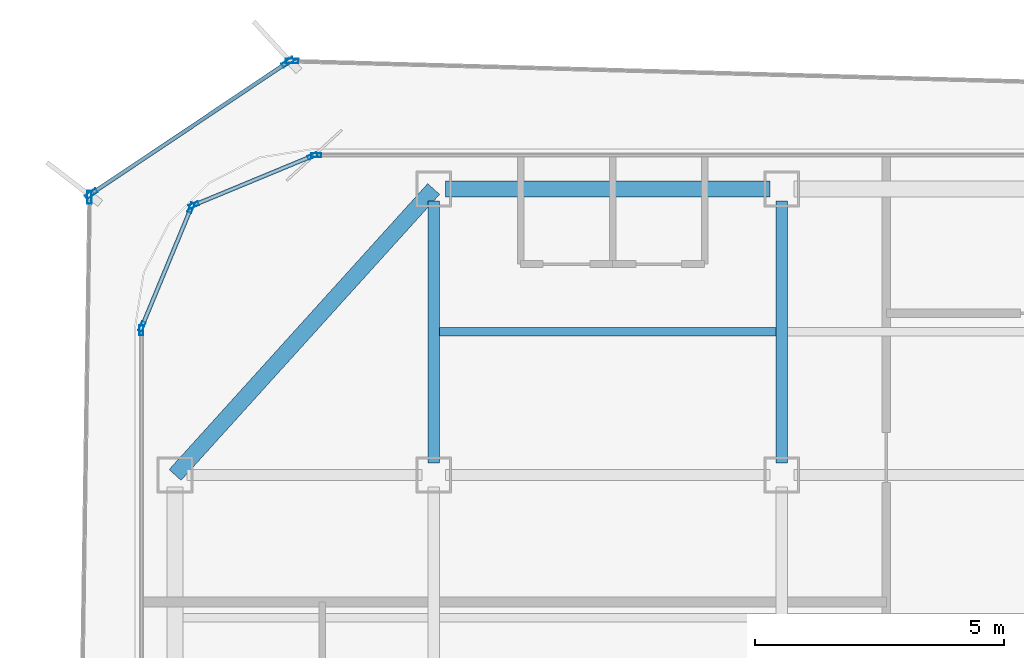
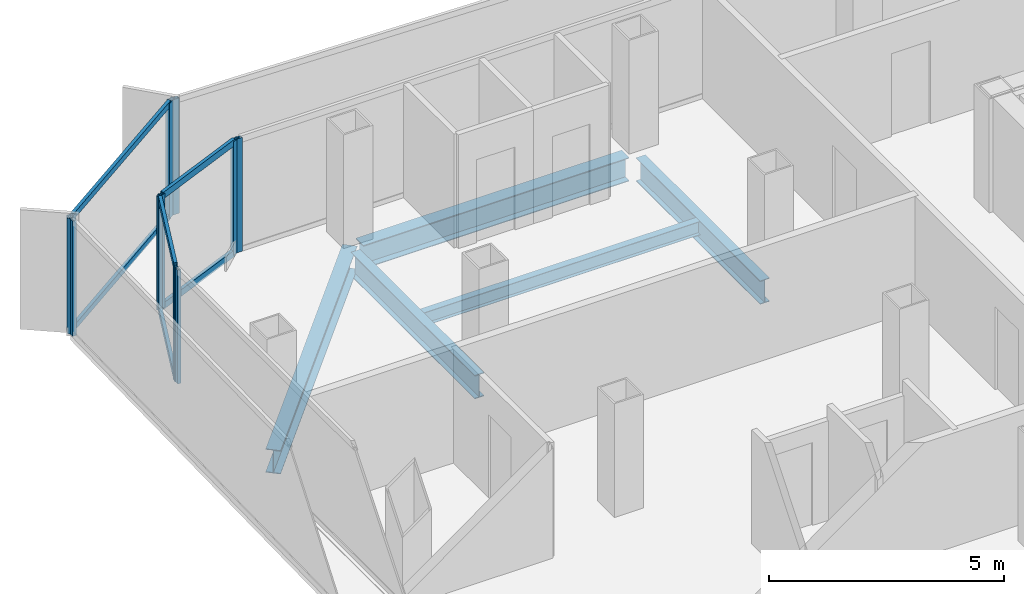
# One storey, part 6 of 15: 16 members, 5 beams, 7 elements without a shape of their own.
"""IFC4 building model written with IfcOpenShell, lengths in metres."""

import ifcopenshell
import ifcopenshell.guid

model = None  # the IFC model being written
_history = None  # IfcOwnerHistory: only IFC2X3 demands one
_inside = {}  # id of a spatial element -> (the spatial element, [elements in it])
_under = {}  # id of a project, library or spatial element -> (it, [spatial elements below it])
_declared = {}  # id of a project -> (the project, [libraries it declares])
_typed = {}  # id of a type object -> (the type object, [elements of that type])
_made_of = {}  # id of a material, layer set ... -> (it, [elements and type objects made of it])


def new_model(schema):
    """Start an empty IFC model of exactly this schema.

    Asked for "IFC4X3", IfcOpenShell would pick the latest addendum, in which some entities
    have other attributes; the version numbers below select the first issue.
    IFC2X3 requires an IfcOwnerHistory on every rooted entity: one is made here for all.
    """
    global model, _history
    if schema == "IFC4X3":
        model = ifcopenshell.file(schema_version=(4, 3, 0, 0))
    else:
        model = ifcopenshell.file(schema=schema)
    _inside.clear()
    _under.clear()
    _declared.clear()
    _typed.clear()
    _made_of.clear()
    _history = None
    if model.schema == "IFC2X3":
        org = make("IfcOrganization", Name="unknown")
        user = make(
            "IfcPersonAndOrganization",
            ThePerson=make("IfcPerson", FamilyName="unknown"),
            TheOrganization=org,
        )
        app = make(
            "IfcApplication",
            ApplicationDeveloper=org,
            Version="unknown",
            ApplicationFullName="unknown",
            ApplicationIdentifier="unknown",
        )
        _history = make(
            "IfcOwnerHistory",
            OwningUser=user,
            OwningApplication=app,
            ChangeAction="ADDED",
            CreationDate=0,
        )
    return model


def make(cls, **values):
    """One entity of the class cls with the attributes given. An attribute that is None is left unset."""
    return model.create_entity(
        cls, **{name: value for name, value in values.items() if value is not None}
    )


def rooted(cls, **values):
    """An entity with a GlobalId (a new one), such as an element, a storey or a relation."""
    return make(cls, GlobalId=ifcopenshell.guid.new(), OwnerHistory=_history, **values)


def si_unit(unit_type, name, prefix=None):
    """IfcSIUnit, for example si_unit("LENGTHUNIT", "METRE", prefix="MILLI")."""
    return make("IfcSIUnit", UnitType=unit_type, Prefix=prefix, Name=name)


def assignment(units):
    """IfcUnitAssignment: the units of a project."""
    return None if units is None else make("IfcUnitAssignment", Units=units)


def point(xyz):
    """IfcCartesianPoint."""
    return None if xyz is None else make("IfcCartesianPoint", Coordinates=xyz)


def direction(xyz):
    """IfcDirection."""
    return None if xyz is None else make("IfcDirection", DirectionRatios=xyz)


def frame(location, z_axis=None, x_axis=None):
    """IfcAxis2Placement3D, a coordinate frame: its origin and axes. An axis left out is left unset."""
    return make(
        "IfcAxis2Placement3D",
        Location=point(location),
        Axis=direction(z_axis),
        RefDirection=direction(x_axis),
    )


def frame_2d(location, x_axis=None):
    """IfcAxis2Placement2D, a coordinate frame in the plane: its origin and x axis."""
    return make(
        "IfcAxis2Placement2D", Location=point(location), RefDirection=direction(x_axis)
    )


def origin():
    """The frame at (0, 0, 0) with its axes left unset."""
    return frame((0.0, 0.0, 0.0))


def origin_2d():
    """The frame at (0, 0) in the plane with its x axis left unset."""
    return frame_2d((0.0, 0.0))


def place(relative_to, where):
    """IfcLocalPlacement: puts the frame where relative to a parent placement (None: the world)."""
    return make(
        "IfcLocalPlacement", PlacementRelTo=relative_to, RelativePlacement=where
    )


def context(
    kind, dimensions, precision=None, world=None, true_north=None, identifier=None
):
    """IfcGeometricRepresentationContext, for example the 3D "Model" context."""
    return make(
        "IfcGeometricRepresentationContext",
        ContextIdentifier=identifier,
        ContextType=kind,
        CoordinateSpaceDimension=dimensions,
        Precision=precision,
        WorldCoordinateSystem=world,
        TrueNorth=true_north,
    )


def subcontext(parent, identifier, kind, view, scale=None):
    """IfcGeometricRepresentationSubContext, for example "Body" below "Model"."""
    return make(
        "IfcGeometricRepresentationSubContext",
        ContextIdentifier=identifier,
        ContextType=kind,
        ParentContext=parent,
        TargetScale=scale,
        TargetView=view,
    )


def project(units=None, contexts=None):
    """IfcProject with its units and contexts."""
    return rooted(
        "IfcProject",
        Name="project",
        RepresentationContexts=contexts,
        UnitsInContext=assignment(units),
    )


def spatial(cls, under=None, at=None, **own):
    """A site, building, storey or space (cls), placed at a placement, below another one or the project."""
    s = rooted(cls, ObjectPlacement=at, **own)
    if under is not None:
        _under.setdefault(under.id(), (under, []))[1].append(s)
    return s


def profile(cls, at=None, kind="AREA", **sizes):
    """A parametric profile (cls). Its sizes go by their IFC names, for example OverallWidth=200.0."""
    return make(cls, ProfileType=kind, Position=at, **sizes)


def hollow_rectangle(**sizes):
    """IfcRectangleHollowProfileDef."""
    return profile("IfcRectangleHollowProfileDef", **sizes)


def i_section(**sizes):
    """IfcIShapeProfileDef."""
    return profile("IfcIShapeProfileDef", **sizes)


def extrude(swept, where, along, depth):
    """IfcExtrudedAreaSolid: the profile swept, set in the frame where, extruded along a direction by depth."""
    return make(
        "IfcExtrudedAreaSolid",
        SweptArea=swept,
        Position=where,
        ExtrudedDirection=direction(along),
        Depth=depth,
    )


def shape(context_of_items, identifier, shape_type, items):
    """IfcShapeRepresentation: the items that make up one representation, for example the "Body"."""
    return make(
        "IfcShapeRepresentation",
        ContextOfItems=context_of_items,
        RepresentationIdentifier=identifier,
        RepresentationType=shape_type,
        Items=items,
    )


def source(mapping_origin, context_of_items, identifier, shape_type, items):
    """IfcRepresentationMap: a shape defined once, which mapped items show again and again."""
    return make(
        "IfcRepresentationMap",
        MappingOrigin=mapping_origin,
        MappedRepresentation=shape(context_of_items, identifier, shape_type, items),
    )


def transform(
    local_origin,
    x_axis=None,
    y_axis=None,
    z_axis=None,
    scale=None,
    scale2=None,
    scale3=None,
    uniform=True,
):
    """IfcCartesianTransformationOperator3D, or its non-uniform kind. x_axis, y_axis, z_axis: its Axis1, 2, 3."""
    if uniform:
        return make(
            "IfcCartesianTransformationOperator3D",
            Axis1=direction(x_axis),
            Axis2=direction(y_axis),
            LocalOrigin=point(local_origin),
            Scale=scale,
            Axis3=direction(z_axis),
        )
    return make(
        "IfcCartesianTransformationOperator3DnonUniform",
        Axis1=direction(x_axis),
        Axis2=direction(y_axis),
        LocalOrigin=point(local_origin),
        Scale=scale,
        Axis3=direction(z_axis),
        Scale2=scale2,
        Scale3=scale3,
    )


def mapped(mapping_source, mapping_target):
    """IfcMappedItem: shows the shape of a source again, moved by a transform."""
    return make(
        "IfcMappedItem", MappingSource=mapping_source, MappingTarget=mapping_target
    )


def material(Name=None, Category=None):
    """IfcMaterial."""
    return make("IfcMaterial", Name=Name, Category=Category)


def layer(
    of_material, thickness, ventilated=None, Name=None, Category=None, Priority=None
):
    """IfcMaterialLayer: one layer of a wall or slab, of a material (None: an air gap)."""
    return make(
        "IfcMaterialLayer",
        Material=of_material,
        LayerThickness=thickness,
        IsVentilated=ventilated,
        Name=Name,
        Category=Category,
        Priority=Priority,
    )


def layer_set(layers, Name=None):
    """IfcMaterialLayerSet."""
    return make("IfcMaterialLayerSet", MaterialLayers=layers, LayerSetName=Name)


def material_profile(
    of_material, cross_section, Name=None, Category=None, Priority=None
):
    """IfcMaterialProfile: a cross section and its material."""
    return make(
        "IfcMaterialProfile",
        Name=Name,
        Material=of_material,
        Profile=cross_section,
        Priority=Priority,
        Category=Category,
    )


def profile_set(profiles, Name=None, composite=None):
    """IfcMaterialProfileSet."""
    return make(
        "IfcMaterialProfileSet",
        Name=Name,
        MaterialProfiles=profiles,
        CompositeProfile=composite,
    )


def made_of(thing, what):
    """Note that an element or type object is made of a material, layer set ...; save() writes the relation."""
    if what is not None:
        _made_of.setdefault(what.id(), (what, []))[1].append(thing)
    return thing


def type_object(cls, material=None, **own):
    """A type object (cls), such as IfcWallType, which elements share."""
    return made_of(rooted(cls, **own), material)


def element(
    cls,
    number,
    at=None,
    inside=None,
    cuts=None,
    type_object=None,
    material=None,
    context=None,
    identifier="Body",
    shape_type=None,
    held_by="IfcProductDefinitionShape",
    body=None,
    shapes=None,
    **own,
):
    """One element of the class cls, such as IfcWall. Its Tag is "e" and its number.

    at: its placement. inside: the storey or other place that contains it. cuts: it is an
    opening in that element (IfcRelVoidsElement). A single representation is given by context,
    identifier, shape_type and body (its items); several are given by shapes. held_by: the class
    of the entity that holds the representations. save() writes the other relations.
    """
    e = rooted(cls, Tag="e%d" % number, ObjectPlacement=at, **own)
    if body is not None:
        shapes = [shape(context, identifier, shape_type, body)]
    if shapes is not None:
        e.Representation = make(held_by, Representations=shapes)
    if inside is not None:
        _inside.setdefault(inside.id(), (inside, []))[1].append(e)
    if cuts is not None:
        rooted(
            "IfcRelVoidsElement", RelatingBuildingElement=cuts, RelatedOpeningElement=e
        )
    if type_object is not None:
        _typed.setdefault(type_object.id(), (type_object, []))[1].append(e)
    return made_of(e, material)


def aggregate(whole, parts):
    """IfcRelAggregates: a whole, such as a stair, and the parts it consists of."""
    return rooted("IfcRelAggregates", RelatingObject=whole, RelatedObjects=parts)


def save(model, path):
    """Write the relations noted so far, then the file.

    IfcRelAggregates (storeys below a building ...), IfcRelContainedInSpatialStructure (elements
    in a storey), IfcRelDefinesByType, IfcRelAssociatesMaterial and IfcRelDeclares: one each for
    every whole, place, type object, material and project.
    """
    for whole, parts in _under.values():
        aggregate(whole, parts)
    for where, things in _inside.values():
        rooted(
            "IfcRelContainedInSpatialStructure",
            RelatedElements=things,
            RelatingStructure=where,
        )
    for kind, things in _typed.values():
        rooted("IfcRelDefinesByType", RelatedObjects=things, RelatingType=kind)
    for what, things in _made_of.values():
        rooted("IfcRelAssociatesMaterial", RelatedObjects=things, RelatingMaterial=what)
    for by, libraries in _declared.values():
        rooted("IfcRelDeclares", RelatingContext=by, RelatedDefinitions=libraries)
    model.write(path)


model = new_model("IFC4")

# Units and contexts
model_context = context("Model", 3, precision=1e-05, world=origin(), true_north=direction((0.0, 1.0)))
body_context = subcontext(model_context, "Body", "Model", "MODEL_VIEW")
ifc_project = project(units=[si_unit("LENGTHUNIT", "METRE"), si_unit("AREAUNIT", "SQUARE_METRE"), si_unit("VOLUMEUNIT", "CUBIC_METRE"), si_unit("PLANEANGLEUNIT", "RADIAN"), si_unit("MASSUNIT", "GRAM", prefix="KILO")], contexts=[model_context])

# Site, building, storey
site_placement = place(None, origin())
site = spatial("IfcSite", under=ifc_project, at=site_placement, CompositionType="ELEMENT")
building_placement = place(site_placement, origin())
building = spatial("IfcBuilding", under=site, at=building_placement, Name="Kolveth Station Tower", CompositionType="ELEMENT")
storey_placement = place(building_placement, frame((0.0, 0.0, 193.199951171875)))
storey = spatial("IfcBuildingStorey", under=building, at=storey_placement, Name="L54", CompositionType="ELEMENT", Elevation=193.199951171875)

# Beams
ifc_material_1 = material(Name="Steel S355", Category="steel")
ifc_material_profile_1 = material_profile(ifc_material_1, i_section(OverallWidth=0.323974609375, OverallDepth=0.611083984375, WebThickness=0.0126953125, FlangeThickness=0.01904296875, at=origin_2d()), Name="W610x155")
ifc_profile_set_1 = profile_set([ifc_material_profile_1], Name="Steel S355")
beam_type_1 = type_object("IfcBeamType", Name="Beam_SP2", PredefinedType="SPANDREL", material=ifc_profile_set_1)
shared_shape_1 = source(origin(), body_context, "Body", "SweptSolid", [
    extrude(i_section(OverallWidth=0.323974609375, OverallDepth=0.611083984375, WebThickness=0.0126953125, FlangeThickness=0.01904296875, at=origin_2d()), origin(), (0.0, 0.0, 1.0), 7.75244140625),
])
beam_1_placement = place(storey_placement, frame((6.0, 34.5, -0.555419921875), z_axis=(-0.670740965555, -0.74169168603, 0.0), x_axis=(0.74169168603, -0.670740965555, 0.0)))
element("IfcBeam", 1, at=beam_1_placement, inside=storey, type_object=beam_type_1, Name="L54 Corner Edge Girder BM-L54-CNR-NW", PredefinedType="SPANDREL", context=body_context, shape_type="MappedRepresentation", body=[
    mapped(shared_shape_1, transform((0.0, 0.0, 0.0), x_axis=(1.0, 0.0, 0.0), y_axis=(0.0, 1.0, 0.0), z_axis=(0.0, 0.0, 1.0), scale=1.0)),
])
shared_shape_2 = source(origin(), body_context, "Body", "SweptSolid", [
    extrude(i_section(OverallWidth=0.323974609375, OverallDepth=0.611083984375, WebThickness=0.0126953125, FlangeThickness=0.01904296875, at=origin_2d()), origin(), (0.0, 0.0, 1.0), 6.52001953125),
])
beam_2_placement = place(storey_placement, frame((6.239990234375, 34.5, -0.555419921875), z_axis=(1.0, 0.0, 0.0), x_axis=(0.0, 1.0, 0.0)))
element("IfcBeam", 2, at=beam_2_placement, inside=storey, type_object=beam_type_1, Name="L54 Perimeter Spandrel BM-L54-PN-1", PredefinedType="SPANDREL", context=body_context, shape_type="MappedRepresentation", body=[
    mapped(shared_shape_2, transform((0.0, 0.0, 0.0), x_axis=(1.0, 0.0, 0.0), y_axis=(0.0, 1.0, 0.0), z_axis=(0.0, 0.0, 1.0), scale=1.0)),
])
ifc_material_profile_2 = material_profile(ifc_material_1, i_section(OverallWidth=0.22900390625, OverallDepth=0.612060546875, WebThickness=0.011962890625, FlangeThickness=0.01953125, at=origin_2d()), Name="W610x125")
ifc_profile_set_2 = profile_set([ifc_material_profile_2], Name="Steel S355")
beam_type_2 = type_object("IfcBeamType", Name="Beam_B5", PredefinedType="BEAM", material=ifc_profile_set_2)
shared_shape_3 = source(origin(), body_context, "Body", "SweptSolid", [
    extrude(i_section(OverallWidth=0.22900390625, OverallDepth=0.612060546875, WebThickness=0.011962890625, FlangeThickness=0.01953125, at=origin_2d()), origin(), (0.0, 0.0, 1.0), 5.27001953125),
])
for number, where, z_axis, x_axis, name in (
    (3, (6.0, 28.989990234375, -0.555908203125), (0.0, 1.0, 0.0), (-1.0, 0.0, 0.0), "L54 Primary Girder BM-L54-GX60-6"),
    (4, (13.0, 28.989990234375, -0.555908203125), (0.0, 1.0, 0.0), (-1.0, 0.0, 0.0), "L54 Primary Girder BM-L54-GX130-6"),
):
    element("IfcBeam", number, at=place(storey_placement, frame(where, z_axis=z_axis, x_axis=x_axis)), inside=storey, type_object=beam_type_2, Name=name, PredefinedType="BEAM", context=body_context, shape_type="MappedRepresentation", body=[
        mapped(shared_shape_3, transform((0.0, 0.0, 0.0), x_axis=(1.0, 0.0, 0.0), y_axis=(0.0, 1.0, 0.0), z_axis=(0.0, 0.0, 1.0), scale=1.0)),
    ])
ifc_material_profile_3 = material_profile(ifc_material_1, i_section(OverallWidth=0.1708984375, OverallDepth=0.35205078125, WebThickness=0.0068359375, FlangeThickness=0.009765625, at=origin_2d()), Name="W360x44")
ifc_profile_set_3 = profile_set([ifc_material_profile_3], Name="Steel S355")
beam_type_3 = type_object("IfcBeamType", Name="Beam_J2", PredefinedType="JOIST", material=ifc_profile_set_3)
shared_shape_4 = source(origin(), body_context, "Body", "SweptSolid", [
    extrude(i_section(OverallWidth=0.1708984375, OverallDepth=0.35205078125, WebThickness=0.0068359375, FlangeThickness=0.009765625, at=origin_2d()), origin(), (0.0, 0.0, 1.0), 6.77490234375),
])
beam_3_placement = place(storey_placement, frame((6.112548828125, 31.625, -0.426025390625), z_axis=(1.0, 0.0, 0.0), x_axis=(0.0, 1.0, 0.0)))
element("IfcBeam", 5, at=beam_3_placement, inside=storey, type_object=beam_type_3, Name="L54 Secondary Joist JST-L54-2-6", PredefinedType="JOIST", context=body_context, shape_type="MappedRepresentation", body=[
    mapped(shared_shape_4, transform((0.0, 0.0, 0.0), x_axis=(1.0, 0.0, 0.0), y_axis=(0.0, 1.0, 0.0), z_axis=(0.0, 0.0, 1.0), scale=1.0)),
])

# Curtain wall, member
ifc_material_2 = material(Name="Aluminium 6063-T6 and low-E dark glass", Category="aluminium")
ifc_layer_1 = layer(ifc_material_2, 0.18994140625)
ifc_layer_set_1 = layer_set([ifc_layer_1], Name="Aluminium 6063-T6 and low-E dark glass")
curtain_wall_type_1 = type_object("IfcCurtainWallType", Name="CurtainWall_CW-Z2", PredefinedType="NOTDEFINED", material=ifc_layer_set_1)
curtain_wall_1_placement = place(storey_placement, origin())
curtain_wall_1 = element("IfcCurtainWall", 6, at=curtain_wall_1_placement, inside=storey, type_object=curtain_wall_type_1, Name="L54 Inner Thermal Curtain Wall 6", PredefinedType="NOTDEFINED")
ifc_material_3 = material(Name="Black anodized aluminium 6063-T6", Category="aluminium")
ifc_material_profile_4 = material_profile(ifc_material_3, hollow_rectangle(XDim=0.080078125, YDim=0.199951171875, WallThickness=0.0048828125, at=origin_2d()), Name="ALU-80x200x5")
ifc_profile_set_4 = profile_set([ifc_material_profile_4], Name="Black anodized aluminium 6063-T6")
member_type_1 = type_object("IfcMemberType", Name="Mullion_ML2", PredefinedType="MULLION", material=ifc_profile_set_4)
shared_shape_5 = source(origin(), body_context, "Body", "SweptSolid", [
    extrude(hollow_rectangle(XDim=0.080078125, YDim=0.199951171875, WallThickness=0.0048828125, at=origin_2d()), origin(), (0.0, 0.0, 1.0), 2.949951171875),
])
member_1_placement = place(storey_placement, frame((3.639892578125, 35.179931640625, 0.0), z_axis=(0.0, 0.0, 1.0), x_axis=(0.0, -1.0, 0.0)))
member_1 = element("IfcMember", 7, at=member_1_placement, type_object=member_type_1, Name="CW-Z2 mullion 2", PredefinedType="MULLION", context=body_context, shape_type="MappedRepresentation", body=[
    mapped(shared_shape_5, transform((0.0, 0.0, 0.0), x_axis=(1.0, 0.0, 0.0), y_axis=(0.0, 1.0, 0.0), z_axis=(0.0, 0.0, 1.0), scale=1.0)),
])
aggregate(curtain_wall_1, [member_1])

# Curtain wall, members
curtain_wall_2_placement = place(storey_placement, origin())
curtain_wall_2 = element("IfcCurtainWall", 8, at=curtain_wall_2_placement, inside=storey, type_object=curtain_wall_type_1, Name="L54 Inner Thermal Curtain Wall 7", PredefinedType="NOTDEFINED")
member_2_placement = place(storey_placement, frame((3.56298828125, 35.164794921875, 0.0), z_axis=(0.0, 0.0, 1.0), x_axis=(0.382697753087, -0.923873600544, 0.0)))
member_2 = element("IfcMember", 9, at=member_2_placement, type_object=member_type_1, Name="CW-Z2 mullion 1", PredefinedType="MULLION", context=body_context, shape_type="MappedRepresentation", body=[
    mapped(shared_shape_5, transform((0.0, 0.0, 0.0), x_axis=(1.0, 0.0, 0.0), y_axis=(0.0, 1.0, 0.0), z_axis=(0.0, 0.0, 1.0), scale=1.0)),
])
member_3_placement = place(storey_placement, frame((1.17626953125, 34.176025390625, 0.0), z_axis=(0.0, 0.0, 1.0), x_axis=(0.382697753087, -0.923873600544, 0.0)))
member_3 = element("IfcMember", 10, at=member_3_placement, type_object=member_type_1, Name="CW-Z2 mullion 2", PredefinedType="MULLION", context=body_context, shape_type="MappedRepresentation", body=[
    mapped(shared_shape_5, transform((0.0, 0.0, 0.0), x_axis=(1.0, 0.0, 0.0), y_axis=(0.0, 1.0, 0.0), z_axis=(0.0, 0.0, 1.0), scale=1.0)),
])

curtain_wall_3_placement = place(storey_placement, origin())
curtain_wall_3 = element("IfcCurtainWall", 11, at=curtain_wall_3_placement, inside=storey, type_object=curtain_wall_type_1, Name="L54 Inner Thermal Curtain Wall 8", PredefinedType="NOTDEFINED")
member_4_placement = place(storey_placement, frame((1.1240234375, 34.123779296875, 0.0), z_axis=(0.0, 0.0, 1.0), x_axis=(0.923873600544, -0.382697753087, 0.0)))
member_4 = element("IfcMember", 12, at=member_4_placement, type_object=member_type_1, Name="CW-Z2 mullion 1", PredefinedType="MULLION", context=body_context, shape_type="MappedRepresentation", body=[
    mapped(shared_shape_5, transform((0.0, 0.0, 0.0), x_axis=(1.0, 0.0, 0.0), y_axis=(0.0, 1.0, 0.0), z_axis=(0.0, 0.0, 1.0), scale=1.0)),
])
member_5_placement = place(storey_placement, frame((0.13525390625, 31.737060546875, 0.0), z_axis=(0.0, 0.0, 1.0), x_axis=(0.923873600544, -0.382697753087, 0.0)))
member_5 = element("IfcMember", 13, at=member_5_placement, type_object=member_type_1, Name="CW-Z2 mullion 2", PredefinedType="MULLION", context=body_context, shape_type="MappedRepresentation", body=[
    mapped(shared_shape_5, transform((0.0, 0.0, 0.0), x_axis=(1.0, 0.0, 0.0), y_axis=(0.0, 1.0, 0.0), z_axis=(0.0, 0.0, 1.0), scale=1.0)),
])

# Curtain wall, member
curtain_wall_4_placement = place(storey_placement, origin())
curtain_wall_4 = element("IfcCurtainWall", 14, at=curtain_wall_4_placement, inside=storey, type_object=curtain_wall_type_1, Name="L54 Inner Thermal Curtain Wall 9", PredefinedType="NOTDEFINED")
member_6_placement = place(storey_placement, frame((0.1201171875, 31.659912109375, 0.0), z_axis=(0.0, 0.0, 1.0), x_axis=(1.0, 0.0, 0.0)))
member_6 = element("IfcMember", 15, at=member_6_placement, type_object=member_type_1, Name="CW-Z2 mullion 1", PredefinedType="MULLION", context=body_context, shape_type="MappedRepresentation", body=[
    mapped(shared_shape_5, transform((0.0, 0.0, 0.0), x_axis=(1.0, 0.0, 0.0), y_axis=(0.0, 1.0, 0.0), z_axis=(0.0, 0.0, 1.0), scale=1.0)),
])
aggregate(curtain_wall_4, [member_6])

ifc_material_4 = material(Name="Black anodized aluminium 6063-T6 and dark solar glass", Category="aluminium")
ifc_layer_2 = layer(ifc_material_4, 0.159912109375)
ifc_layer_set_2 = layer_set([ifc_layer_2], Name="Black anodized aluminium 6063-T6 and dark solar glass")
curtain_wall_type_2 = type_object("IfcCurtainWallType", Name="OUTER SKIN CW-OS", PredefinedType="NOTDEFINED", material=ifc_layer_set_2)
curtain_wall_5_placement = place(storey_placement, origin())
curtain_wall_5 = element("IfcCurtainWall", 16, at=curtain_wall_5_placement, inside=storey, type_object=curtain_wall_type_2, Name="L54 Outer Ventilated Skin Curtain Wall 4", PredefinedType="NOTDEFINED")
ifc_material_profile_5 = material_profile(ifc_material_3, hollow_rectangle(XDim=0.090087890625, YDim=0.260009765625, WallThickness=0.0048828125, at=origin_2d()), Name="ALU-90x260x5")
ifc_profile_set_5 = profile_set([ifc_material_profile_5], Name="Black anodized aluminium 6063-T6")
member_type_2 = type_object("IfcMemberType", Name="FIN MULLION ML-OS", PredefinedType="MULLION", material=ifc_profile_set_5)
shared_shape_6 = source(origin(), body_context, "Body", "SweptSolid", [
    extrude(hollow_rectangle(XDim=0.090087890625, YDim=0.260009765625, WallThickness=0.0048828125, at=origin_2d()), origin(), (0.0, 0.0, 1.0), 2.989990234375),
])
member_7_placement = place(storey_placement, frame((3.15087890625, 37.074462890625, 0.0), z_axis=(0.0, 0.0, 1.0), x_axis=(-0.027822490511, -0.99961287958, 0.0)))
member_7 = element("IfcMember", 17, at=member_7_placement, type_object=member_type_2, Name="CW-OS mullion 2", PredefinedType="MULLION", context=body_context, shape_type="MappedRepresentation", body=[
    mapped(shared_shape_6, transform((0.0, 0.0, 0.0), x_axis=(1.0, 0.0, 0.0), y_axis=(0.0, 1.0, 0.0), z_axis=(0.0, 0.0, 1.0), scale=1.0)),
])
aggregate(curtain_wall_5, [member_7])

# Curtain wall, members
curtain_wall_6_placement = place(storey_placement, origin())
curtain_wall_6 = element("IfcCurtainWall", 18, at=curtain_wall_6_placement, inside=storey, type_object=curtain_wall_type_2, Name="L54 Outer Ventilated Skin Curtain Wall 5", PredefinedType="NOTDEFINED")
member_8_placement = place(storey_placement, frame((3.068603515625, 37.050537109375, 0.0), z_axis=(0.0, 0.0, 1.0), x_axis=(0.556312886699, -0.830972906954, 0.0)))
member_8 = element("IfcMember", 19, at=member_8_placement, type_object=member_type_2, Name="CW-OS mullion 1", PredefinedType="MULLION", context=body_context, shape_type="MappedRepresentation", body=[
    mapped(shared_shape_6, transform((0.0, 0.0, 0.0), x_axis=(1.0, 0.0, 0.0), y_axis=(0.0, 1.0, 0.0), z_axis=(0.0, 0.0, 1.0), scale=1.0)),
])
member_9_placement = place(storey_placement, frame((-0.885009765625, 34.40380859375, 0.0), z_axis=(0.0, 0.0, 1.0), x_axis=(0.556312886699, -0.830972906954, 0.0)))
member_9 = element("IfcMember", 20, at=member_9_placement, type_object=member_type_2, Name="CW-OS mullion 2", PredefinedType="MULLION", context=body_context, shape_type="MappedRepresentation", body=[
    mapped(shared_shape_6, transform((0.0, 0.0, 0.0), x_axis=(1.0, 0.0, 0.0), y_axis=(0.0, 1.0, 0.0), z_axis=(0.0, 0.0, 1.0), scale=1.0)),
])

# Curtain wall, member
curtain_wall_7_placement = place(storey_placement, origin())
curtain_wall_7 = element("IfcCurtainWall", 21, at=curtain_wall_7_placement, inside=storey, type_object=curtain_wall_type_2, Name="L54 Outer Ventilated Skin Curtain Wall 6", PredefinedType="NOTDEFINED")
member_10_placement = place(storey_placement, frame((-0.923095703125, 34.333740234375, 0.0), z_axis=(0.0, 0.0, 1.0), x_axis=(0.999886627103, -0.015057653898, 0.0)))
member_10 = element("IfcMember", 22, at=member_10_placement, type_object=member_type_2, Name="CW-OS mullion 1", PredefinedType="MULLION", context=body_context, shape_type="MappedRepresentation", body=[
    mapped(shared_shape_6, transform((0.0, 0.0, 0.0), x_axis=(1.0, 0.0, 0.0), y_axis=(0.0, 1.0, 0.0), z_axis=(0.0, 0.0, 1.0), scale=1.0)),
])
aggregate(curtain_wall_7, [member_10])

# Member
ifc_material_profile_6 = material_profile(ifc_material_3, hollow_rectangle(XDim=0.080078125, YDim=0.169921875, WallThickness=0.0048828125, at=origin_2d()), Name="ALU-80x170x5")
ifc_profile_set_6 = profile_set([ifc_material_profile_6], Name="Black anodized aluminium 6063-T6")
member_type_3 = type_object("IfcMemberType", Name="Transom_TR2", PredefinedType="USERDEFINED", material=ifc_profile_set_6)
shared_shape_7 = source(origin(), body_context, "Body", "SweptSolid", [
    extrude(hollow_rectangle(XDim=0.080078125, YDim=0.169921875, WallThickness=0.0048828125, at=origin_2d()), origin(), (0.0, 0.0, 1.0), 2.50341796875),
])
member_11_placement = place(storey_placement, frame((3.526123046875, 35.1494140625, 0.0400390625), z_axis=(-0.923888472039, -0.382661849723, 0.0), x_axis=(0.382661849723, -0.923888472039, 0.0)))
member_11 = element("IfcMember", 23, at=member_11_placement, type_object=member_type_3, Name="CW-Z2 transom 1.1", ObjectType="TRANSOM", PredefinedType="USERDEFINED", context=body_context, shape_type="MappedRepresentation", body=[
    mapped(shared_shape_7, transform((0.0, 0.0, 0.0), x_axis=(1.0, 0.0, 0.0), y_axis=(0.0, 1.0, 0.0), z_axis=(0.0, 0.0, 1.0), scale=1.0)),
])

member_12_placement = place(storey_placement, frame((3.526123046875, 35.1494140625, 2.91015625), z_axis=(-0.923888472039, -0.382661849723, 0.0), x_axis=(0.382661849723, -0.923888472039, 0.0)))
member_12 = element("IfcMember", 24, at=member_12_placement, type_object=member_type_3, Name="CW-Z2 transom 1.2", ObjectType="TRANSOM", PredefinedType="USERDEFINED", context=body_context, shape_type="MappedRepresentation", body=[
    mapped(shared_shape_7, transform((0.0, 0.0, 0.0), x_axis=(1.0, 0.0, 0.0), y_axis=(0.0, 1.0, 0.0), z_axis=(0.0, 0.0, 1.0), scale=1.0)),
])

aggregate(curtain_wall_2, [member_2, member_3, member_11, member_12])

member_13_placement = place(storey_placement, frame((1.108642578125, 34.086669921875, 0.0400390625), z_axis=(-0.382696328882, -0.923874190494, 0.0), x_axis=(0.923874190494, -0.382696328882, 0.0)))
member_13 = element("IfcMember", 25, at=member_13_placement, type_object=member_type_3, Name="CW-Z2 transom 1.1", ObjectType="TRANSOM", PredefinedType="USERDEFINED", context=body_context, shape_type="MappedRepresentation", body=[
    mapped(shared_shape_7, transform((0.0, 0.0, 0.0), x_axis=(1.0, 0.0, 0.0), y_axis=(0.0, 1.0, 0.0), z_axis=(0.0, 0.0, 1.0), scale=1.0)),
])

member_14_placement = place(storey_placement, frame((1.108642578125, 34.086669921875, 2.91015625), z_axis=(-0.382696328882, -0.923874190494, 0.0), x_axis=(0.923874190494, -0.382696328882, 0.0)))
member_14 = element("IfcMember", 26, at=member_14_placement, type_object=member_type_3, Name="CW-Z2 transom 1.2", ObjectType="TRANSOM", PredefinedType="USERDEFINED", context=body_context, shape_type="MappedRepresentation", body=[
    mapped(shared_shape_7, transform((0.0, 0.0, 0.0), x_axis=(1.0, 0.0, 0.0), y_axis=(0.0, 1.0, 0.0), z_axis=(0.0, 0.0, 1.0), scale=1.0)),
])

aggregate(curtain_wall_3, [member_4, member_5, member_13, member_14])

ifc_material_profile_7 = material_profile(ifc_material_3, hollow_rectangle(XDim=0.080078125, YDim=0.14990234375, WallThickness=0.0048828125, at=origin_2d()), Name="ALU-80x150x5")
ifc_profile_set_7 = profile_set([ifc_material_profile_7], Name="Black anodized aluminium 6063-T6")
member_type_4 = type_object("IfcMemberType", Name="Transom_TR-OS", PredefinedType="USERDEFINED", material=ifc_profile_set_7)
shared_shape_8 = source(origin(), body_context, "Body", "SweptSolid", [
    extrude(hollow_rectangle(XDim=0.080078125, YDim=0.14990234375, WallThickness=0.0048828125, at=origin_2d()), origin(), (0.0, 0.0, 1.0), 4.667724609375),
])
member_15_placement = place(storey_placement, frame((3.031005859375, 37.025634765625, 0.0400390625), z_axis=(-0.830946253603, -0.556352697147, 0.0), x_axis=(0.556352697147, -0.830946253603, 0.0)))
member_15 = element("IfcMember", 27, at=member_15_placement, type_object=member_type_4, Name="CW-OS transom 1.1", ObjectType="TRANSOM", PredefinedType="USERDEFINED", context=body_context, shape_type="MappedRepresentation", body=[
    mapped(shared_shape_8, transform((0.0, 0.0, 0.0), x_axis=(1.0, 0.0, 0.0), y_axis=(0.0, 1.0, 0.0), z_axis=(0.0, 0.0, 1.0), scale=1.0)),
])

member_16_placement = place(storey_placement, frame((3.031005859375, 37.025634765625, 2.949951171875), z_axis=(-0.830946253603, -0.556352697147, 0.0), x_axis=(0.556352697147, -0.830946253603, 0.0)))
member_16 = element("IfcMember", 28, at=member_16_placement, type_object=member_type_4, Name="CW-OS transom 1.2", ObjectType="TRANSOM", PredefinedType="USERDEFINED", context=body_context, shape_type="MappedRepresentation", body=[
    mapped(shared_shape_8, transform((0.0, 0.0, 0.0), x_axis=(1.0, 0.0, 0.0), y_axis=(0.0, 1.0, 0.0), z_axis=(0.0, 0.0, 1.0), scale=1.0)),
])

aggregate(curtain_wall_6, [member_8, member_9, member_15, member_16])

save(model, "model.ifc")
